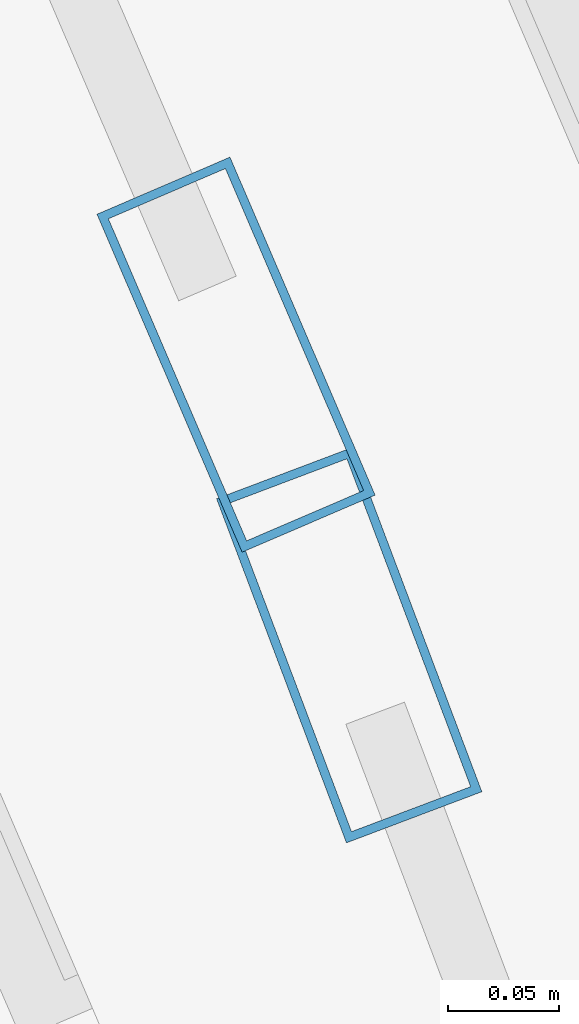
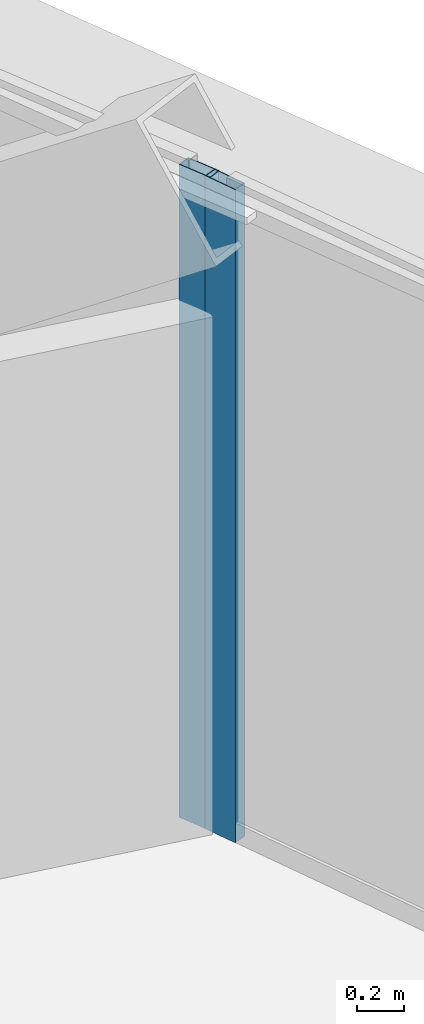
# One storey, part 23 of 42: 2 members, 2 elements without a shape of their own.
"""IFC4 building model written with IfcOpenShell, lengths in metres."""

import ifcopenshell
import ifcopenshell.guid

model = None  # the IFC model being written
_history = None  # IfcOwnerHistory: only IFC2X3 demands one
_inside = {}  # id of a spatial element -> (the spatial element, [elements in it])
_under = {}  # id of a project, library or spatial element -> (it, [spatial elements below it])
_declared = {}  # id of a project -> (the project, [libraries it declares])
_typed = {}  # id of a type object -> (the type object, [elements of that type])
_made_of = {}  # id of a material, layer set ... -> (it, [elements and type objects made of it])


def new_model(schema):
    """Start an empty IFC model of exactly this schema.

    Asked for "IFC4X3", IfcOpenShell would pick the latest addendum, in which some entities
    have other attributes; the version numbers below select the first issue.
    IFC2X3 requires an IfcOwnerHistory on every rooted entity: one is made here for all.
    """
    global model, _history
    if schema == "IFC4X3":
        model = ifcopenshell.file(schema_version=(4, 3, 0, 0))
    else:
        model = ifcopenshell.file(schema=schema)
    _inside.clear()
    _under.clear()
    _declared.clear()
    _typed.clear()
    _made_of.clear()
    _history = None
    if model.schema == "IFC2X3":
        org = make("IfcOrganization", Name="unknown")
        user = make(
            "IfcPersonAndOrganization",
            ThePerson=make("IfcPerson", FamilyName="unknown"),
            TheOrganization=org,
        )
        app = make(
            "IfcApplication",
            ApplicationDeveloper=org,
            Version="unknown",
            ApplicationFullName="unknown",
            ApplicationIdentifier="unknown",
        )
        _history = make(
            "IfcOwnerHistory",
            OwningUser=user,
            OwningApplication=app,
            ChangeAction="ADDED",
            CreationDate=0,
        )
    return model


def make(cls, **values):
    """One entity of the class cls with the attributes given. An attribute that is None is left unset."""
    return model.create_entity(
        cls, **{name: value for name, value in values.items() if value is not None}
    )


def rooted(cls, **values):
    """An entity with a GlobalId (a new one), such as an element, a storey or a relation."""
    return make(cls, GlobalId=ifcopenshell.guid.new(), OwnerHistory=_history, **values)


def si_unit(unit_type, name, prefix=None):
    """IfcSIUnit, for example si_unit("LENGTHUNIT", "METRE", prefix="MILLI")."""
    return make("IfcSIUnit", UnitType=unit_type, Prefix=prefix, Name=name)


def assignment(units):
    """IfcUnitAssignment: the units of a project."""
    return None if units is None else make("IfcUnitAssignment", Units=units)


def point(xyz):
    """IfcCartesianPoint."""
    return None if xyz is None else make("IfcCartesianPoint", Coordinates=xyz)


def direction(xyz):
    """IfcDirection."""
    return None if xyz is None else make("IfcDirection", DirectionRatios=xyz)


def frame(location, z_axis=None, x_axis=None):
    """IfcAxis2Placement3D, a coordinate frame: its origin and axes. An axis left out is left unset."""
    return make(
        "IfcAxis2Placement3D",
        Location=point(location),
        Axis=direction(z_axis),
        RefDirection=direction(x_axis),
    )


def frame_2d(location, x_axis=None):
    """IfcAxis2Placement2D, a coordinate frame in the plane: its origin and x axis."""
    return make(
        "IfcAxis2Placement2D", Location=point(location), RefDirection=direction(x_axis)
    )


def origin():
    """The frame at (0, 0, 0) with its axes left unset."""
    return frame((0.0, 0.0, 0.0))


def origin_2d():
    """The frame at (0, 0) in the plane with its x axis left unset."""
    return frame_2d((0.0, 0.0))


def place(relative_to, where):
    """IfcLocalPlacement: puts the frame where relative to a parent placement (None: the world)."""
    return make(
        "IfcLocalPlacement", PlacementRelTo=relative_to, RelativePlacement=where
    )


def context(
    kind, dimensions, precision=None, world=None, true_north=None, identifier=None
):
    """IfcGeometricRepresentationContext, for example the 3D "Model" context."""
    return make(
        "IfcGeometricRepresentationContext",
        ContextIdentifier=identifier,
        ContextType=kind,
        CoordinateSpaceDimension=dimensions,
        Precision=precision,
        WorldCoordinateSystem=world,
        TrueNorth=true_north,
    )


def subcontext(parent, identifier, kind, view, scale=None):
    """IfcGeometricRepresentationSubContext, for example "Body" below "Model"."""
    return make(
        "IfcGeometricRepresentationSubContext",
        ContextIdentifier=identifier,
        ContextType=kind,
        ParentContext=parent,
        TargetScale=scale,
        TargetView=view,
    )


def project(units=None, contexts=None):
    """IfcProject with its units and contexts."""
    return rooted(
        "IfcProject",
        Name="project",
        RepresentationContexts=contexts,
        UnitsInContext=assignment(units),
    )


def spatial(cls, under=None, at=None, **own):
    """A site, building, storey or space (cls), placed at a placement, below another one or the project."""
    s = rooted(cls, ObjectPlacement=at, **own)
    if under is not None:
        _under.setdefault(under.id(), (under, []))[1].append(s)
    return s


def profile(cls, at=None, kind="AREA", **sizes):
    """A parametric profile (cls). Its sizes go by their IFC names, for example OverallWidth=200.0."""
    return make(cls, ProfileType=kind, Position=at, **sizes)


def hollow_rectangle(**sizes):
    """IfcRectangleHollowProfileDef."""
    return profile("IfcRectangleHollowProfileDef", **sizes)


def extrude(swept, where, along, depth):
    """IfcExtrudedAreaSolid: the profile swept, set in the frame where, extruded along a direction by depth."""
    return make(
        "IfcExtrudedAreaSolid",
        SweptArea=swept,
        Position=where,
        ExtrudedDirection=direction(along),
        Depth=depth,
    )


def shape(context_of_items, identifier, shape_type, items):
    """IfcShapeRepresentation: the items that make up one representation, for example the "Body"."""
    return make(
        "IfcShapeRepresentation",
        ContextOfItems=context_of_items,
        RepresentationIdentifier=identifier,
        RepresentationType=shape_type,
        Items=items,
    )


def source(mapping_origin, context_of_items, identifier, shape_type, items):
    """IfcRepresentationMap: a shape defined once, which mapped items show again and again."""
    return make(
        "IfcRepresentationMap",
        MappingOrigin=mapping_origin,
        MappedRepresentation=shape(context_of_items, identifier, shape_type, items),
    )


def transform(
    local_origin,
    x_axis=None,
    y_axis=None,
    z_axis=None,
    scale=None,
    scale2=None,
    scale3=None,
    uniform=True,
):
    """IfcCartesianTransformationOperator3D, or its non-uniform kind. x_axis, y_axis, z_axis: its Axis1, 2, 3."""
    if uniform:
        return make(
            "IfcCartesianTransformationOperator3D",
            Axis1=direction(x_axis),
            Axis2=direction(y_axis),
            LocalOrigin=point(local_origin),
            Scale=scale,
            Axis3=direction(z_axis),
        )
    return make(
        "IfcCartesianTransformationOperator3DnonUniform",
        Axis1=direction(x_axis),
        Axis2=direction(y_axis),
        LocalOrigin=point(local_origin),
        Scale=scale,
        Axis3=direction(z_axis),
        Scale2=scale2,
        Scale3=scale3,
    )


def mapped(mapping_source, mapping_target):
    """IfcMappedItem: shows the shape of a source again, moved by a transform."""
    return make(
        "IfcMappedItem", MappingSource=mapping_source, MappingTarget=mapping_target
    )


def material(Name=None, Category=None):
    """IfcMaterial."""
    return make("IfcMaterial", Name=Name, Category=Category)


def layer(
    of_material, thickness, ventilated=None, Name=None, Category=None, Priority=None
):
    """IfcMaterialLayer: one layer of a wall or slab, of a material (None: an air gap)."""
    return make(
        "IfcMaterialLayer",
        Material=of_material,
        LayerThickness=thickness,
        IsVentilated=ventilated,
        Name=Name,
        Category=Category,
        Priority=Priority,
    )


def layer_set(layers, Name=None):
    """IfcMaterialLayerSet."""
    return make("IfcMaterialLayerSet", MaterialLayers=layers, LayerSetName=Name)


def material_profile(
    of_material, cross_section, Name=None, Category=None, Priority=None
):
    """IfcMaterialProfile: a cross section and its material."""
    return make(
        "IfcMaterialProfile",
        Name=Name,
        Material=of_material,
        Profile=cross_section,
        Priority=Priority,
        Category=Category,
    )


def profile_set(profiles, Name=None, composite=None):
    """IfcMaterialProfileSet."""
    return make(
        "IfcMaterialProfileSet",
        Name=Name,
        MaterialProfiles=profiles,
        CompositeProfile=composite,
    )


def made_of(thing, what):
    """Note that an element or type object is made of a material, layer set ...; save() writes the relation."""
    if what is not None:
        _made_of.setdefault(what.id(), (what, []))[1].append(thing)
    return thing


def type_object(cls, material=None, **own):
    """A type object (cls), such as IfcWallType, which elements share."""
    return made_of(rooted(cls, **own), material)


def element(
    cls,
    number,
    at=None,
    inside=None,
    cuts=None,
    type_object=None,
    material=None,
    context=None,
    identifier="Body",
    shape_type=None,
    held_by="IfcProductDefinitionShape",
    body=None,
    shapes=None,
    **own,
):
    """One element of the class cls, such as IfcWall. Its Tag is "e" and its number.

    at: its placement. inside: the storey or other place that contains it. cuts: it is an
    opening in that element (IfcRelVoidsElement). A single representation is given by context,
    identifier, shape_type and body (its items); several are given by shapes. held_by: the class
    of the entity that holds the representations. save() writes the other relations.
    """
    e = rooted(cls, Tag="e%d" % number, ObjectPlacement=at, **own)
    if body is not None:
        shapes = [shape(context, identifier, shape_type, body)]
    if shapes is not None:
        e.Representation = make(held_by, Representations=shapes)
    if inside is not None:
        _inside.setdefault(inside.id(), (inside, []))[1].append(e)
    if cuts is not None:
        rooted(
            "IfcRelVoidsElement", RelatingBuildingElement=cuts, RelatedOpeningElement=e
        )
    if type_object is not None:
        _typed.setdefault(type_object.id(), (type_object, []))[1].append(e)
    return made_of(e, material)


def aggregate(whole, parts):
    """IfcRelAggregates: a whole, such as a stair, and the parts it consists of."""
    return rooted("IfcRelAggregates", RelatingObject=whole, RelatedObjects=parts)


def save(model, path):
    """Write the relations noted so far, then the file.

    IfcRelAggregates (storeys below a building ...), IfcRelContainedInSpatialStructure (elements
    in a storey), IfcRelDefinesByType, IfcRelAssociatesMaterial and IfcRelDeclares: one each for
    every whole, place, type object, material and project.
    """
    for whole, parts in _under.values():
        aggregate(whole, parts)
    for where, things in _inside.values():
        rooted(
            "IfcRelContainedInSpatialStructure",
            RelatedElements=things,
            RelatingStructure=where,
        )
    for kind, things in _typed.values():
        rooted("IfcRelDefinesByType", RelatedObjects=things, RelatingType=kind)
    for what, things in _made_of.values():
        rooted("IfcRelAssociatesMaterial", RelatedObjects=things, RelatingMaterial=what)
    for by, libraries in _declared.values():
        rooted("IfcRelDeclares", RelatingContext=by, RelatedDefinitions=libraries)
    model.write(path)


model = new_model("IFC4")

# Units and contexts
model_context = context("Model", 3, precision=1e-05, world=origin(), true_north=direction((0.0, 1.0)))
body_context = subcontext(model_context, "Body", "Model", "MODEL_VIEW")
ifc_project = project(units=[si_unit("LENGTHUNIT", "METRE"), si_unit("AREAUNIT", "SQUARE_METRE"), si_unit("VOLUMEUNIT", "CUBIC_METRE"), si_unit("PLANEANGLEUNIT", "RADIAN"), si_unit("MASSUNIT", "GRAM", prefix="KILO"), si_unit("THERMODYNAMICTEMPERATUREUNIT", "KELVIN"), si_unit("POWERUNIT", "WATT")], contexts=[model_context])

# Site, building, storey
site_placement = place(None, origin())
site = spatial("IfcSite", under=ifc_project, at=site_placement, CompositionType="ELEMENT")
building_placement = place(site_placement, origin())
building = spatial("IfcBuilding", under=site, at=building_placement, Name="Yunzhuo Pagoda Commons", CompositionType="ELEMENT")
storey_placement = place(building_placement, frame((0.0, 0.0, 44.919921875)))
storey = spatial("IfcBuildingStorey", under=building, at=storey_placement, Name="L11", CompositionType="ELEMENT", Elevation=44.919921875)

# Curtain wall, member
ifc_material = material(Name="Anodized aluminium 6063-T6", Category="aluminium")
ifc_layer = layer(ifc_material, 0.1650390625)
ifc_layer_set = layer_set([ifc_layer], Name="Anodized aluminium 6063-T6")
curtain_wall_type = type_object("IfcCurtainWallType", Name="CW-LOW Low-Zone Ribbon Curtain Wall", PredefinedType="NOTDEFINED", material=ifc_layer_set)
curtain_wall_1_placement = place(storey_placement, origin())
curtain_wall_1 = element("IfcCurtainWall", 1, at=curtain_wall_1_placement, inside=storey, type_object=curtain_wall_type, Name="L11 curtain wall CW-L11-F2B2", PredefinedType="NOTDEFINED")
ifc_material_profile = material_profile(ifc_material, hollow_rectangle(XDim=0.06494140625, YDim=0.1650390625, WallThickness=0.00390625, at=origin_2d()), Name="Anodized aluminium 6063-T6")
ifc_profile_set = profile_set([ifc_material_profile], Name="Anodized aluminium 6063-T6")
member_type = type_object("IfcMemberType", Name="CW-LOW-M Mullion RHS 165x65x4", PredefinedType="MULLION", material=ifc_profile_set)
shared_shape = source(origin(), body_context, "Body", "SweptSolid", [
    extrude(hollow_rectangle(XDim=0.06494140625, YDim=0.1650390625, WallThickness=0.00390625, at=origin_2d()), origin(), (0.0, 0.0, 1.0), 3.3701171875),
])
member_1_placement = place(storey_placement, frame((89.74658203125, 26.366455078125, 0.0), z_axis=(0.0, 0.0, 1.0), x_axis=(-0.918865619656, -0.394570618538, 0.0)))
member_1 = element("IfcMember", 2, at=member_1_placement, type_object=member_type, Name="CW mullion 1", PredefinedType="MULLION", context=body_context, shape_type="MappedRepresentation", body=[
    mapped(shared_shape, transform((0.0, 0.0, 0.0), scale=1.0)),
])
aggregate(curtain_wall_1, [member_1])

curtain_wall_2_placement = place(storey_placement, origin())
curtain_wall_2 = element("IfcCurtainWall", 3, at=curtain_wall_2_placement, inside=storey, type_object=curtain_wall_type, Name="L11 curtain wall CW-L11-F2B1", PredefinedType="NOTDEFINED")
member_2_placement = place(storey_placement, frame((89.79736328125, 26.236083984375, 0.0), z_axis=(0.0, 0.0, 1.0), x_axis=(-0.935566420146, -0.353150780113, 0.0)))
member_2 = element("IfcMember", 4, at=member_2_placement, type_object=member_type, Name="CW mullion 2", PredefinedType="MULLION", context=body_context, shape_type="MappedRepresentation", body=[
    mapped(shared_shape, transform((0.0, 0.0, 0.0), scale=1.0)),
])
aggregate(curtain_wall_2, [member_2])

save(model, "model.ifc")
